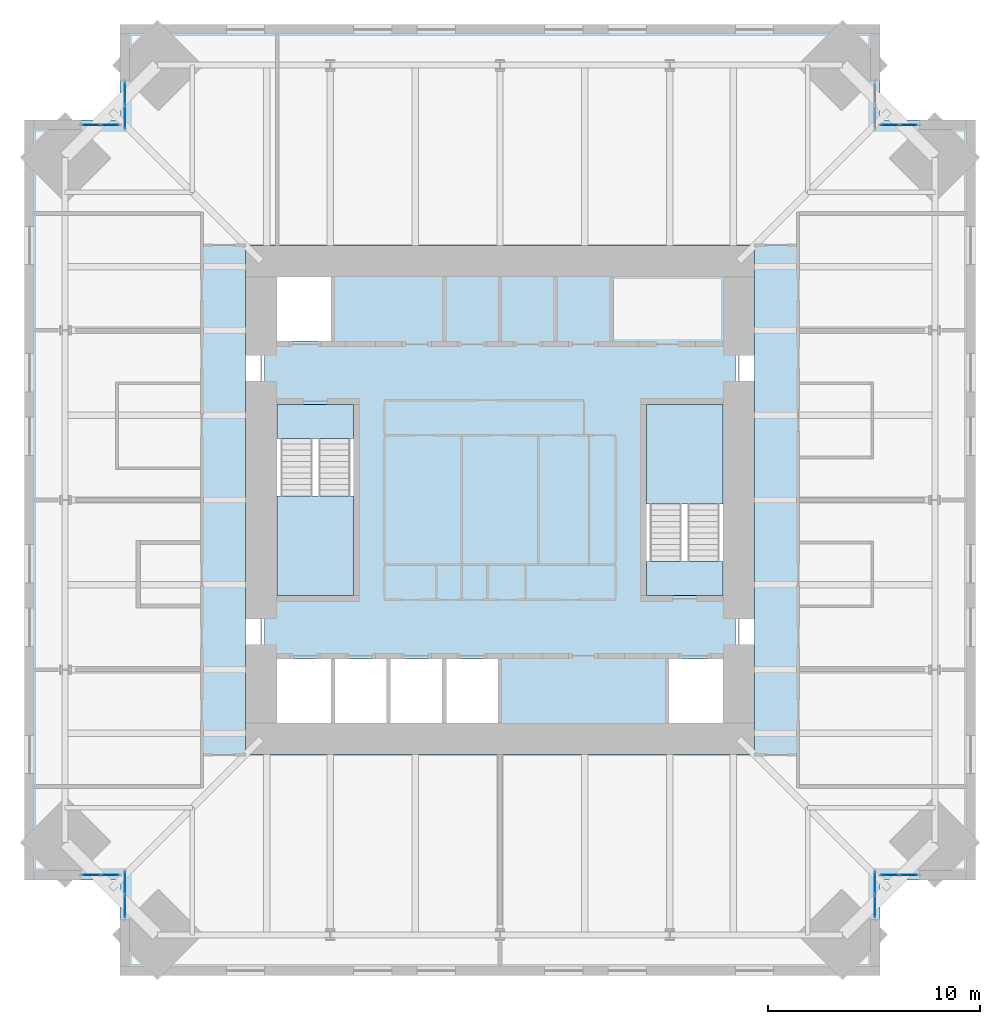
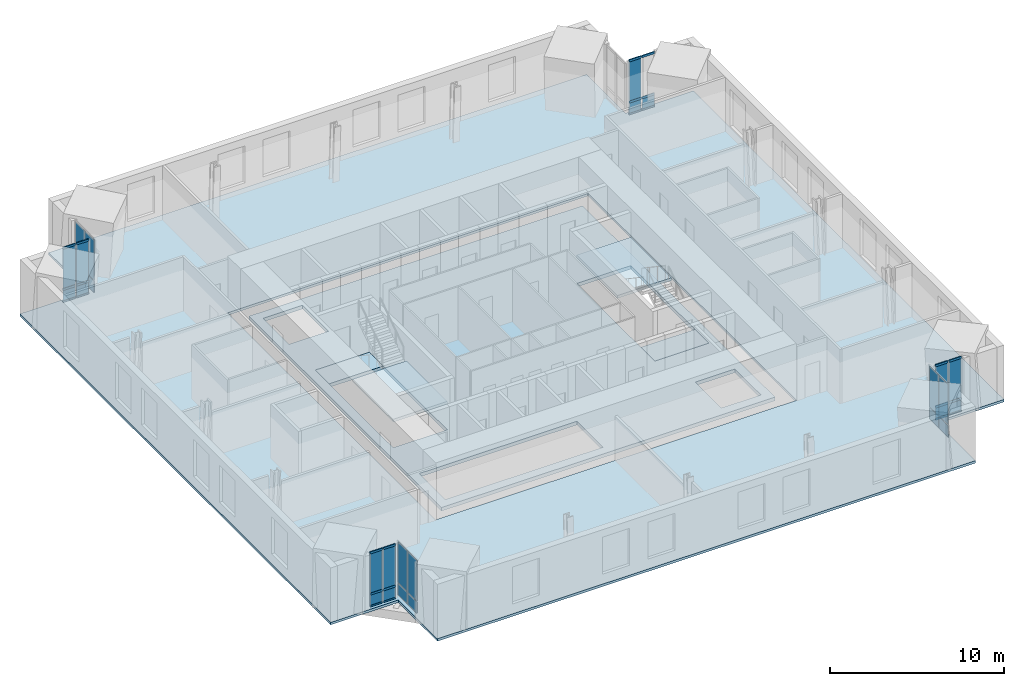
# One storey, part 11 of 17: 27 plates, 24 members, 6 slabs, 9 elements without a shape of their own.
"""IFC4 building model written with IfcOpenShell, lengths in metres."""

from ifc_helpers import new_model, si_unit, direction, frame, origin, origin_2d, place, context, subcontext, project, spatial, polyline, rectangle, hollow_rectangle, outline, extrude, material, layer, layer_set, material_profile, profile_set, type_object, element, aggregate, save


model = new_model("IFC4")

# Units and contexts
model_context = context("Model", 3, precision=1e-05, world=origin(), true_north=direction((0.0, 1.0)))
body_context = subcontext(model_context, "Body", "Model", "MODEL_VIEW")
ifc_project = project(units=[si_unit("LENGTHUNIT", "METRE"), si_unit("AREAUNIT", "SQUARE_METRE"), si_unit("VOLUMEUNIT", "CUBIC_METRE"), si_unit("PLANEANGLEUNIT", "RADIAN"), si_unit("MASSUNIT", "GRAM", prefix="KILO")], contexts=[model_context])

# Site, building, storey
site_placement = place(None, origin())
site = spatial("IfcSite", under=ifc_project, at=site_placement, CompositionType="ELEMENT")
building_placement = place(site_placement, origin())
building = spatial("IfcBuilding", under=site, at=building_placement, Name="Peilmerk Tower", CompositionType="ELEMENT")
storey_placement = place(building_placement, frame((0.0, 0.0, 257.800048828125)))
storey = spatial("IfcBuildingStorey", under=building, at=storey_placement, Name="L57", CompositionType="ELEMENT", Elevation=257.800048828125)

# Curtain wall, members
ifc_material_1 = material(Name="Aluminium stick curtain wall", Category="aluminium")
curtain_wall_type = type_object("IfcCurtainWallType", Name="CW4 stick curtain wall, 2250 module", PredefinedType="NOTDEFINED", material=ifc_material_1)
curtain_wall_1_placement = place(storey_placement, origin())
curtain_wall_1 = element("IfcCurtainWall", 1, at=curtain_wall_1_placement, inside=storey, type_object=curtain_wall_type, Name="Curtain wall CW4 NEB L57", PredefinedType="NOTDEFINED")
ifc_material_2 = material(Name="Aluminium EN AW-6063 T6", Category="aluminium")
ifc_material_profile = material_profile(ifc_material_2, hollow_rectangle(XDim=0.06494140625, YDim=0.14990234375, WallThickness=0.0029296875, at=origin_2d()), Name="AL 150x65x3")
ifc_profile_set = profile_set([ifc_material_profile], Name="Aluminium EN AW-6063 T6")
member_type = type_object("IfcMemberType", Name="CW4-T AL 150x65x3 transom", PredefinedType="USERDEFINED", material=ifc_profile_set)
member_1_placement = place(storey_placement, frame((17.965087890625, 17.675048828125, 0.032470703125), z_axis=(1.0, 0.0, 0.0), x_axis=(0.0, 1.0, 0.0)))
member_1 = element("IfcMember", 2, at=member_1_placement, type_object=member_type, Name="CW4 transom 1.1", ObjectType="TRANSOM", PredefinedType="USERDEFINED", context=body_context, shape_type="SweptSolid", body=[
    extrude(hollow_rectangle(XDim=0.06494140625, YDim=0.14990234375, WallThickness=0.0029296875, at=origin_2d()), origin(), (0.0, 0.0, 1.0), 0.82177734375),
])
member_2_placement = place(storey_placement, frame((17.965087890625, 17.675048828125, 0.89990234375), z_axis=(1.0, 0.0, 0.0), x_axis=(0.0, 1.0, 0.0)))
member_2 = element("IfcMember", 3, at=member_2_placement, type_object=member_type, Name="CW4 transom 1.2", ObjectType="TRANSOM", PredefinedType="USERDEFINED", context=body_context, shape_type="SweptSolid", body=[
    extrude(hollow_rectangle(XDim=0.06494140625, YDim=0.14990234375, WallThickness=0.0029296875, at=origin_2d()), origin(), (0.0, 0.0, 1.0), 0.82177734375),
])
member_3_placement = place(storey_placement, frame((17.965087890625, 17.675048828125, 3.79736328125), z_axis=(1.0, 0.0, 0.0), x_axis=(0.0, 1.0, 0.0)))
member_3 = element("IfcMember", 4, at=member_3_placement, type_object=member_type, Name="CW4 transom 1.3", ObjectType="TRANSOM", PredefinedType="USERDEFINED", context=body_context, shape_type="SweptSolid", body=[
    extrude(hollow_rectangle(XDim=0.06494140625, YDim=0.14990234375, WallThickness=0.0029296875, at=origin_2d()), origin(), (0.0, 0.0, 1.0), 0.82177734375),
])
member_4_placement = place(storey_placement, frame((18.851806640625, 17.675048828125, 0.032470703125), z_axis=(1.0, 0.0, 0.0), x_axis=(0.0, 1.0, 0.0)))
member_4 = element("IfcMember", 5, at=member_4_placement, type_object=member_type, Name="CW4 transom 2.1", ObjectType="TRANSOM", PredefinedType="USERDEFINED", context=body_context, shape_type="SweptSolid", body=[
    extrude(hollow_rectangle(XDim=0.06494140625, YDim=0.14990234375, WallThickness=0.0029296875, at=origin_2d()), origin(), (0.0, 0.0, 1.0), 0.82177734375),
])
member_5_placement = place(storey_placement, frame((18.851806640625, 17.675048828125, 0.89990234375), z_axis=(1.0, 0.0, 0.0), x_axis=(0.0, 1.0, 0.0)))
member_5 = element("IfcMember", 6, at=member_5_placement, type_object=member_type, Name="CW4 transom 2.2", ObjectType="TRANSOM", PredefinedType="USERDEFINED", context=body_context, shape_type="SweptSolid", body=[
    extrude(hollow_rectangle(XDim=0.06494140625, YDim=0.14990234375, WallThickness=0.0029296875, at=origin_2d()), origin(), (0.0, 0.0, 1.0), 0.82177734375),
])
member_6_placement = place(storey_placement, frame((18.851806640625, 17.675048828125, 3.79736328125), z_axis=(1.0, 0.0, 0.0), x_axis=(0.0, 1.0, 0.0)))
member_6 = element("IfcMember", 7, at=member_6_placement, type_object=member_type, Name="CW4 transom 2.3", ObjectType="TRANSOM", PredefinedType="USERDEFINED", context=body_context, shape_type="SweptSolid", body=[
    extrude(hollow_rectangle(XDim=0.06494140625, YDim=0.14990234375, WallThickness=0.0029296875, at=origin_2d()), origin(), (0.0, 0.0, 1.0), 0.82177734375),
])

curtain_wall_2_placement = place(storey_placement, origin())
curtain_wall_2 = element("IfcCurtainWall", 8, at=curtain_wall_2_placement, inside=storey, type_object=curtain_wall_type, Name="Curtain wall CW4 SEB L57", PredefinedType="NOTDEFINED")
member_7_placement = place(storey_placement, frame((17.965087890625, -17.675048828125, 0.032470703125), z_axis=(1.0, 0.0, 0.0), x_axis=(0.0, 1.0, 0.0)))
member_7 = element("IfcMember", 9, at=member_7_placement, type_object=member_type, Name="CW4 transom 1.1", ObjectType="TRANSOM", PredefinedType="USERDEFINED", context=body_context, shape_type="SweptSolid", body=[
    extrude(hollow_rectangle(XDim=0.06494140625, YDim=0.14990234375, WallThickness=0.0029296875, at=origin_2d()), origin(), (0.0, 0.0, 1.0), 0.82177734375),
])
member_8_placement = place(storey_placement, frame((17.965087890625, -17.675048828125, 0.89990234375), z_axis=(1.0, 0.0, 0.0), x_axis=(0.0, 1.0, 0.0)))
member_8 = element("IfcMember", 10, at=member_8_placement, type_object=member_type, Name="CW4 transom 1.2", ObjectType="TRANSOM", PredefinedType="USERDEFINED", context=body_context, shape_type="SweptSolid", body=[
    extrude(hollow_rectangle(XDim=0.06494140625, YDim=0.14990234375, WallThickness=0.0029296875, at=origin_2d()), origin(), (0.0, 0.0, 1.0), 0.82177734375),
])
member_9_placement = place(storey_placement, frame((17.965087890625, -17.675048828125, 3.79736328125), z_axis=(1.0, 0.0, 0.0), x_axis=(0.0, 1.0, 0.0)))
member_9 = element("IfcMember", 11, at=member_9_placement, type_object=member_type, Name="CW4 transom 1.3", ObjectType="TRANSOM", PredefinedType="USERDEFINED", context=body_context, shape_type="SweptSolid", body=[
    extrude(hollow_rectangle(XDim=0.06494140625, YDim=0.14990234375, WallThickness=0.0029296875, at=origin_2d()), origin(), (0.0, 0.0, 1.0), 0.82177734375),
])
member_10_placement = place(storey_placement, frame((18.851806640625, -17.675048828125, 0.032470703125), z_axis=(1.0, 0.0, 0.0), x_axis=(0.0, 1.0, 0.0)))
member_10 = element("IfcMember", 12, at=member_10_placement, type_object=member_type, Name="CW4 transom 2.1", ObjectType="TRANSOM", PredefinedType="USERDEFINED", context=body_context, shape_type="SweptSolid", body=[
    extrude(hollow_rectangle(XDim=0.06494140625, YDim=0.14990234375, WallThickness=0.0029296875, at=origin_2d()), origin(), (0.0, 0.0, 1.0), 0.82177734375),
])
member_11_placement = place(storey_placement, frame((18.851806640625, -17.675048828125, 0.89990234375), z_axis=(1.0, 0.0, 0.0), x_axis=(0.0, 1.0, 0.0)))
member_11 = element("IfcMember", 13, at=member_11_placement, type_object=member_type, Name="CW4 transom 2.2", ObjectType="TRANSOM", PredefinedType="USERDEFINED", context=body_context, shape_type="SweptSolid", body=[
    extrude(hollow_rectangle(XDim=0.06494140625, YDim=0.14990234375, WallThickness=0.0029296875, at=origin_2d()), origin(), (0.0, 0.0, 1.0), 0.82177734375),
])
member_12_placement = place(storey_placement, frame((18.851806640625, -17.675048828125, 3.79736328125), z_axis=(1.0, 0.0, 0.0), x_axis=(0.0, 1.0, 0.0)))
member_12 = element("IfcMember", 14, at=member_12_placement, type_object=member_type, Name="CW4 transom 2.3", ObjectType="TRANSOM", PredefinedType="USERDEFINED", context=body_context, shape_type="SweptSolid", body=[
    extrude(hollow_rectangle(XDim=0.06494140625, YDim=0.14990234375, WallThickness=0.0029296875, at=origin_2d()), origin(), (0.0, 0.0, 1.0), 0.82177734375),
])

curtain_wall_3_placement = place(storey_placement, origin())
curtain_wall_3 = element("IfcCurtainWall", 15, at=curtain_wall_3_placement, inside=storey, type_object=curtain_wall_type, Name="Curtain wall CW4 SWB L57", PredefinedType="NOTDEFINED")
member_13_placement = place(storey_placement, frame((-17.965087890625, -17.675048828125, 0.032470703125), z_axis=(-1.0, 0.0, 0.0), x_axis=(0.0, -1.0, 0.0)))
member_13 = element("IfcMember", 16, at=member_13_placement, type_object=member_type, Name="CW4 transom 1.1", ObjectType="TRANSOM", PredefinedType="USERDEFINED", context=body_context, shape_type="SweptSolid", body=[
    extrude(hollow_rectangle(XDim=0.06494140625, YDim=0.14990234375, WallThickness=0.0029296875, at=origin_2d()), origin(), (0.0, 0.0, 1.0), 0.82177734375),
])
member_14_placement = place(storey_placement, frame((-17.965087890625, -17.675048828125, 0.89990234375), z_axis=(-1.0, 0.0, 0.0), x_axis=(0.0, -1.0, 0.0)))
member_14 = element("IfcMember", 17, at=member_14_placement, type_object=member_type, Name="CW4 transom 1.2", ObjectType="TRANSOM", PredefinedType="USERDEFINED", context=body_context, shape_type="SweptSolid", body=[
    extrude(hollow_rectangle(XDim=0.06494140625, YDim=0.14990234375, WallThickness=0.0029296875, at=origin_2d()), origin(), (0.0, 0.0, 1.0), 0.82177734375),
])
member_15_placement = place(storey_placement, frame((-17.965087890625, -17.675048828125, 3.79736328125), z_axis=(-1.0, 0.0, 0.0), x_axis=(0.0, -1.0, 0.0)))
member_15 = element("IfcMember", 18, at=member_15_placement, type_object=member_type, Name="CW4 transom 1.3", ObjectType="TRANSOM", PredefinedType="USERDEFINED", context=body_context, shape_type="SweptSolid", body=[
    extrude(hollow_rectangle(XDim=0.06494140625, YDim=0.14990234375, WallThickness=0.0029296875, at=origin_2d()), origin(), (0.0, 0.0, 1.0), 0.82177734375),
])
member_16_placement = place(storey_placement, frame((-18.851806640625, -17.675048828125, 0.032470703125), z_axis=(-1.0, 0.0, 0.0), x_axis=(0.0, -1.0, 0.0)))
member_16 = element("IfcMember", 19, at=member_16_placement, type_object=member_type, Name="CW4 transom 2.1", ObjectType="TRANSOM", PredefinedType="USERDEFINED", context=body_context, shape_type="SweptSolid", body=[
    extrude(hollow_rectangle(XDim=0.06494140625, YDim=0.14990234375, WallThickness=0.0029296875, at=origin_2d()), origin(), (0.0, 0.0, 1.0), 0.82177734375),
])
member_17_placement = place(storey_placement, frame((-18.851806640625, -17.675048828125, 0.89990234375), z_axis=(-1.0, 0.0, 0.0), x_axis=(0.0, -1.0, 0.0)))
member_17 = element("IfcMember", 20, at=member_17_placement, type_object=member_type, Name="CW4 transom 2.2", ObjectType="TRANSOM", PredefinedType="USERDEFINED", context=body_context, shape_type="SweptSolid", body=[
    extrude(hollow_rectangle(XDim=0.06494140625, YDim=0.14990234375, WallThickness=0.0029296875, at=origin_2d()), origin(), (0.0, 0.0, 1.0), 0.82177734375),
])
member_18_placement = place(storey_placement, frame((-18.851806640625, -17.675048828125, 3.79736328125), z_axis=(-1.0, 0.0, 0.0), x_axis=(0.0, -1.0, 0.0)))
member_18 = element("IfcMember", 21, at=member_18_placement, type_object=member_type, Name="CW4 transom 2.3", ObjectType="TRANSOM", PredefinedType="USERDEFINED", context=body_context, shape_type="SweptSolid", body=[
    extrude(hollow_rectangle(XDim=0.06494140625, YDim=0.14990234375, WallThickness=0.0029296875, at=origin_2d()), origin(), (0.0, 0.0, 1.0), 0.82177734375),
])

curtain_wall_4_placement = place(storey_placement, origin())
curtain_wall_4 = element("IfcCurtainWall", 22, at=curtain_wall_4_placement, inside=storey, type_object=curtain_wall_type, Name="Curtain wall CW4 NWB L57", PredefinedType="NOTDEFINED")
member_19_placement = place(storey_placement, frame((-17.965087890625, 17.675048828125, 0.032470703125), z_axis=(-1.0, 0.0, 0.0), x_axis=(0.0, -1.0, 0.0)))
member_19 = element("IfcMember", 23, at=member_19_placement, type_object=member_type, Name="CW4 transom 1.1", ObjectType="TRANSOM", PredefinedType="USERDEFINED", context=body_context, shape_type="SweptSolid", body=[
    extrude(hollow_rectangle(XDim=0.06494140625, YDim=0.14990234375, WallThickness=0.0029296875, at=origin_2d()), origin(), (0.0, 0.0, 1.0), 0.82177734375),
])
member_20_placement = place(storey_placement, frame((-17.965087890625, 17.675048828125, 0.89990234375), z_axis=(-1.0, 0.0, 0.0), x_axis=(0.0, -1.0, 0.0)))
member_20 = element("IfcMember", 24, at=member_20_placement, type_object=member_type, Name="CW4 transom 1.2", ObjectType="TRANSOM", PredefinedType="USERDEFINED", context=body_context, shape_type="SweptSolid", body=[
    extrude(hollow_rectangle(XDim=0.06494140625, YDim=0.14990234375, WallThickness=0.0029296875, at=origin_2d()), origin(), (0.0, 0.0, 1.0), 0.82177734375),
])
member_21_placement = place(storey_placement, frame((-17.965087890625, 17.675048828125, 3.79736328125), z_axis=(-1.0, 0.0, 0.0), x_axis=(0.0, -1.0, 0.0)))
member_21 = element("IfcMember", 25, at=member_21_placement, type_object=member_type, Name="CW4 transom 1.3", ObjectType="TRANSOM", PredefinedType="USERDEFINED", context=body_context, shape_type="SweptSolid", body=[
    extrude(hollow_rectangle(XDim=0.06494140625, YDim=0.14990234375, WallThickness=0.0029296875, at=origin_2d()), origin(), (0.0, 0.0, 1.0), 0.82177734375),
])
member_22_placement = place(storey_placement, frame((-18.851806640625, 17.675048828125, 0.032470703125), z_axis=(-1.0, 0.0, 0.0), x_axis=(0.0, -1.0, 0.0)))
member_22 = element("IfcMember", 26, at=member_22_placement, type_object=member_type, Name="CW4 transom 2.1", ObjectType="TRANSOM", PredefinedType="USERDEFINED", context=body_context, shape_type="SweptSolid", body=[
    extrude(hollow_rectangle(XDim=0.06494140625, YDim=0.14990234375, WallThickness=0.0029296875, at=origin_2d()), origin(), (0.0, 0.0, 1.0), 0.82177734375),
])
member_23_placement = place(storey_placement, frame((-18.851806640625, 17.675048828125, 0.89990234375), z_axis=(-1.0, 0.0, 0.0), x_axis=(0.0, -1.0, 0.0)))
member_23 = element("IfcMember", 27, at=member_23_placement, type_object=member_type, Name="CW4 transom 2.2", ObjectType="TRANSOM", PredefinedType="USERDEFINED", context=body_context, shape_type="SweptSolid", body=[
    extrude(hollow_rectangle(XDim=0.06494140625, YDim=0.14990234375, WallThickness=0.0029296875, at=origin_2d()), origin(), (0.0, 0.0, 1.0), 0.82177734375),
])
member_24_placement = place(storey_placement, frame((-18.851806640625, 17.675048828125, 3.79736328125), z_axis=(-1.0, 0.0, 0.0), x_axis=(0.0, -1.0, 0.0)))
member_24 = element("IfcMember", 28, at=member_24_placement, type_object=member_type, Name="CW4 transom 2.3", ObjectType="TRANSOM", PredefinedType="USERDEFINED", context=body_context, shape_type="SweptSolid", body=[
    extrude(hollow_rectangle(XDim=0.06494140625, YDim=0.14990234375, WallThickness=0.0029296875, at=origin_2d()), origin(), (0.0, 0.0, 1.0), 0.82177734375),
])

# Slab
ifc_material_3 = material(Name="Concrete C55/67", Category="concrete")
ifc_layer_1 = layer(ifc_material_3, 0.25)
ifc_layer_set_1 = layer_set([ifc_layer_1], Name="Concrete C55/67")
slab_type_1 = type_object("IfcSlabType", Name="CS250 250 core floor slab", PredefinedType="FLOOR", material=ifc_layer_set_1)
slab_1_placement = place(storey_placement, frame((0.0, 0.0, -0.25)))
element("IfcSlab", 29, at=slab_1_placement, inside=storey, type_object=slab_type_1, Name="Core slab L57", PredefinedType="FLOOR", context=body_context, shape_type="SweptSolid", body=[
    extrude(outline(polyline([(11.10009765625, -11.10009765625), (11.10009765625, 11.10009765625), (-11.10009765625, 11.10009765625), (-11.10009765625, -11.10009765625), (11.10009765625, -11.10009765625)]), holes=[polyline([(-7.875, 7.5), (-10.5, 7.5), (-10.5, 10.5), (-7.875, 10.5), (-7.875, 7.5)]), polyline([(0.0, -10.5), (-10.5, -10.5), (-10.5, -7.5), (0.0, -7.5), (0.0, -10.5)]), polyline([(7.875, -10.5), (7.875, -7.5), (10.5, -7.5), (10.5, -10.5), (7.875, -10.5)]), polyline([(-10.5, 4.5), (-6.89990234375, 4.5), (-6.89990234375, -4.5), (-10.5, -4.5), (-10.5, 4.5)]), polyline([(10.5, 4.5), (10.5, -4.5), (6.89990234375, -4.5), (6.89990234375, 4.5), (10.5, 4.5)])]), origin(), (0.0, 0.0, 1.0), 0.25),
])

# Plate
ifc_material_4 = material(Name="Clear insulated glazing unit", Category="glass")
ifc_layer_2 = layer(ifc_material_4, 0.028076171875)
ifc_layer_set_2 = layer_set([ifc_layer_2], Name="Clear insulated glazing unit")
plate_type = type_object("IfcPlateType", Name="CW4-P 28 glazed panel", PredefinedType="CURTAIN_PANEL", material=ifc_layer_set_2)
plate_1_placement = place(storey_placement, frame((18.3759765625, 17.675048828125, 0.06494140625), z_axis=(0.0, 0.0, 1.0), x_axis=(1.0, 0.0, 0.0)))
plate_1 = element("IfcPlate", 30, at=plate_1_placement, type_object=plate_type, Name="CW4 panel 1.1", PredefinedType="CURTAIN_PANEL", context=body_context, shape_type="SweptSolid", body=[
    extrude(rectangle(XDim=0.82177734375, YDim=0.028076171875, at=origin_2d()), origin(), (0.0, 0.0, 1.0), 0.802490234375),
])

plate_2_placement = place(storey_placement, frame((18.3759765625, 17.675048828125, 0.932373046875), z_axis=(0.0, 0.0, 1.0), x_axis=(1.0, 0.0, 0.0)))
plate_2 = element("IfcPlate", 31, at=plate_2_placement, type_object=plate_type, Name="CW4 panel 1.2", PredefinedType="CURTAIN_PANEL", context=body_context, shape_type="SweptSolid", body=[
    extrude(rectangle(XDim=0.82177734375, YDim=0.028076171875, at=origin_2d()), origin(), (0.0, 0.0, 1.0), 2.83251953125),
])

plate_3_placement = place(storey_placement, frame((19.2626953125, 17.675048828125, 0.06494140625), z_axis=(0.0, 0.0, 1.0), x_axis=(1.0, 0.0, 0.0)))
plate_3 = element("IfcPlate", 32, at=plate_3_placement, type_object=plate_type, Name="CW4 panel 2.1", PredefinedType="CURTAIN_PANEL", context=body_context, shape_type="SweptSolid", body=[
    extrude(rectangle(XDim=0.82177734375, YDim=0.028076171875, at=origin_2d()), origin(), (0.0, 0.0, 1.0), 0.802490234375),
])

aggregate(curtain_wall_1, [member_1, member_2, member_3, plate_1, plate_2, member_4, member_5, member_6, plate_3])

# Curtain wall, plates
curtain_wall_5_placement = place(storey_placement, origin())
curtain_wall_5 = element("IfcCurtainWall", 33, at=curtain_wall_5_placement, inside=storey, type_object=curtain_wall_type, Name="Curtain wall CW4 SEA L57", PredefinedType="NOTDEFINED")
plate_4_placement = place(storey_placement, frame((17.675048828125, -18.038330078125, 0.06494140625), z_axis=(0.0, 0.0, 1.0), x_axis=(0.0, -1.0, 0.0)))
plate_4 = element("IfcPlate", 34, at=plate_4_placement, type_object=plate_type, Name="CW4 panel 1.1", PredefinedType="CURTAIN_PANEL", context=body_context, shape_type="SweptSolid", body=[
    extrude(rectangle(XDim=1.046875, YDim=0.028076171875, at=origin_2d()), origin(), (0.0, 0.0, 1.0), 0.802490234375),
])
plate_5_placement = place(storey_placement, frame((17.675048828125, -18.038330078125, 0.932373046875), z_axis=(0.0, 0.0, 1.0), x_axis=(0.0, -1.0, 0.0)))
plate_5 = element("IfcPlate", 35, at=plate_5_placement, type_object=plate_type, Name="CW4 panel 1.2", PredefinedType="CURTAIN_PANEL", context=body_context, shape_type="SweptSolid", body=[
    extrude(rectangle(XDim=1.046875, YDim=0.028076171875, at=origin_2d()), origin(), (0.0, 0.0, 1.0), 2.83251953125),
])
plate_6_placement = place(storey_placement, frame((17.675048828125, -19.150146484375, 0.06494140625), z_axis=(0.0, 0.0, 1.0), x_axis=(0.0, -1.0, 0.0)))
plate_6 = element("IfcPlate", 36, at=plate_6_placement, type_object=plate_type, Name="CW4 panel 2.1", PredefinedType="CURTAIN_PANEL", context=body_context, shape_type="SweptSolid", body=[
    extrude(rectangle(XDim=1.046875, YDim=0.028076171875, at=origin_2d()), origin(), (0.0, 0.0, 1.0), 0.802490234375),
])
plate_7_placement = place(storey_placement, frame((17.675048828125, -19.150146484375, 0.932373046875), z_axis=(0.0, 0.0, 1.0), x_axis=(0.0, -1.0, 0.0)))
plate_7 = element("IfcPlate", 37, at=plate_7_placement, type_object=plate_type, Name="CW4 panel 2.2", PredefinedType="CURTAIN_PANEL", context=body_context, shape_type="SweptSolid", body=[
    extrude(rectangle(XDim=1.046875, YDim=0.028076171875, at=origin_2d()), origin(), (0.0, 0.0, 1.0), 2.83251953125),
])
aggregate(curtain_wall_5, [plate_4, plate_5, plate_6, plate_7])

# Plate
plate_8_placement = place(storey_placement, frame((18.3759765625, -17.675048828125, 0.06494140625), z_axis=(0.0, 0.0, 1.0), x_axis=(1.0, 0.0, 0.0)))
plate_8 = element("IfcPlate", 38, at=plate_8_placement, type_object=plate_type, Name="CW4 panel 1.1", PredefinedType="CURTAIN_PANEL", context=body_context, shape_type="SweptSolid", body=[
    extrude(rectangle(XDim=0.82177734375, YDim=0.028076171875, at=origin_2d()), origin(), (0.0, 0.0, 1.0), 0.802490234375),
])

plate_9_placement = place(storey_placement, frame((18.3759765625, -17.675048828125, 0.932373046875), z_axis=(0.0, 0.0, 1.0), x_axis=(1.0, 0.0, 0.0)))
plate_9 = element("IfcPlate", 39, at=plate_9_placement, type_object=plate_type, Name="CW4 panel 1.2", PredefinedType="CURTAIN_PANEL", context=body_context, shape_type="SweptSolid", body=[
    extrude(rectangle(XDim=0.82177734375, YDim=0.028076171875, at=origin_2d()), origin(), (0.0, 0.0, 1.0), 2.83251953125),
])

plate_10_placement = place(storey_placement, frame((19.2626953125, -17.675048828125, 0.06494140625), z_axis=(0.0, 0.0, 1.0), x_axis=(1.0, 0.0, 0.0)))
plate_10 = element("IfcPlate", 40, at=plate_10_placement, type_object=plate_type, Name="CW4 panel 2.1", PredefinedType="CURTAIN_PANEL", context=body_context, shape_type="SweptSolid", body=[
    extrude(rectangle(XDim=0.82177734375, YDim=0.028076171875, at=origin_2d()), origin(), (0.0, 0.0, 1.0), 0.802490234375),
])

plate_11_placement = place(storey_placement, frame((19.2626953125, -17.675048828125, 0.932373046875), z_axis=(0.0, 0.0, 1.0), x_axis=(1.0, 0.0, 0.0)))
plate_11 = element("IfcPlate", 41, at=plate_11_placement, type_object=plate_type, Name="CW4 panel 2.2", PredefinedType="CURTAIN_PANEL", context=body_context, shape_type="SweptSolid", body=[
    extrude(rectangle(XDim=0.82177734375, YDim=0.028076171875, at=origin_2d()), origin(), (0.0, 0.0, 1.0), 2.83251953125),
])

aggregate(curtain_wall_2, [member_7, member_8, member_9, plate_8, plate_9, member_10, member_11, member_12, plate_10, plate_11])

# Curtain wall, plates
curtain_wall_6_placement = place(storey_placement, origin())
curtain_wall_6 = element("IfcCurtainWall", 42, at=curtain_wall_6_placement, inside=storey, type_object=curtain_wall_type, Name="Curtain wall CW4 SWA L57", PredefinedType="NOTDEFINED")
plate_12_placement = place(storey_placement, frame((-17.675048828125, -18.038330078125, 0.06494140625), z_axis=(0.0, 0.0, 1.0), x_axis=(0.0, -1.0, 0.0)))
plate_12 = element("IfcPlate", 43, at=plate_12_placement, type_object=plate_type, Name="CW4 panel 1.1", PredefinedType="CURTAIN_PANEL", context=body_context, shape_type="SweptSolid", body=[
    extrude(rectangle(XDim=1.046875, YDim=0.028076171875, at=origin_2d()), origin(), (0.0, 0.0, 1.0), 0.802490234375),
])
plate_13_placement = place(storey_placement, frame((-17.675048828125, -18.038330078125, 0.932373046875), z_axis=(0.0, 0.0, 1.0), x_axis=(0.0, -1.0, 0.0)))
plate_13 = element("IfcPlate", 44, at=plate_13_placement, type_object=plate_type, Name="CW4 panel 1.2", PredefinedType="CURTAIN_PANEL", context=body_context, shape_type="SweptSolid", body=[
    extrude(rectangle(XDim=1.046875, YDim=0.028076171875, at=origin_2d()), origin(), (0.0, 0.0, 1.0), 2.83251953125),
])
plate_14_placement = place(storey_placement, frame((-17.675048828125, -19.150146484375, 0.06494140625), z_axis=(0.0, 0.0, 1.0), x_axis=(0.0, -1.0, 0.0)))
plate_14 = element("IfcPlate", 45, at=plate_14_placement, type_object=plate_type, Name="CW4 panel 2.1", PredefinedType="CURTAIN_PANEL", context=body_context, shape_type="SweptSolid", body=[
    extrude(rectangle(XDim=1.046875, YDim=0.028076171875, at=origin_2d()), origin(), (0.0, 0.0, 1.0), 0.802490234375),
])
plate_15_placement = place(storey_placement, frame((-17.675048828125, -19.150146484375, 0.932373046875), z_axis=(0.0, 0.0, 1.0), x_axis=(0.0, -1.0, 0.0)))
plate_15 = element("IfcPlate", 46, at=plate_15_placement, type_object=plate_type, Name="CW4 panel 2.2", PredefinedType="CURTAIN_PANEL", context=body_context, shape_type="SweptSolid", body=[
    extrude(rectangle(XDim=1.046875, YDim=0.028076171875, at=origin_2d()), origin(), (0.0, 0.0, 1.0), 2.83251953125),
])
aggregate(curtain_wall_6, [plate_12, plate_13, plate_14, plate_15])

# Plate
plate_16_placement = place(storey_placement, frame((-18.3759765625, -17.675048828125, 0.06494140625), z_axis=(0.0, 0.0, 1.0), x_axis=(-1.0, 0.0, 0.0)))
plate_16 = element("IfcPlate", 47, at=plate_16_placement, type_object=plate_type, Name="CW4 panel 1.1", PredefinedType="CURTAIN_PANEL", context=body_context, shape_type="SweptSolid", body=[
    extrude(rectangle(XDim=0.82177734375, YDim=0.028076171875, at=origin_2d()), origin(), (0.0, 0.0, 1.0), 0.802490234375),
])

plate_17_placement = place(storey_placement, frame((-18.3759765625, -17.675048828125, 0.932373046875), z_axis=(0.0, 0.0, 1.0), x_axis=(-1.0, 0.0, 0.0)))
plate_17 = element("IfcPlate", 48, at=plate_17_placement, type_object=plate_type, Name="CW4 panel 1.2", PredefinedType="CURTAIN_PANEL", context=body_context, shape_type="SweptSolid", body=[
    extrude(rectangle(XDim=0.82177734375, YDim=0.028076171875, at=origin_2d()), origin(), (0.0, 0.0, 1.0), 2.83251953125),
])

plate_18_placement = place(storey_placement, frame((-19.2626953125, -17.675048828125, 0.06494140625), z_axis=(0.0, 0.0, 1.0), x_axis=(-1.0, 0.0, 0.0)))
plate_18 = element("IfcPlate", 49, at=plate_18_placement, type_object=plate_type, Name="CW4 panel 2.1", PredefinedType="CURTAIN_PANEL", context=body_context, shape_type="SweptSolid", body=[
    extrude(rectangle(XDim=0.82177734375, YDim=0.028076171875, at=origin_2d()), origin(), (0.0, 0.0, 1.0), 0.802490234375),
])

plate_19_placement = place(storey_placement, frame((-19.2626953125, -17.675048828125, 0.932373046875), z_axis=(0.0, 0.0, 1.0), x_axis=(-1.0, 0.0, 0.0)))
plate_19 = element("IfcPlate", 50, at=plate_19_placement, type_object=plate_type, Name="CW4 panel 2.2", PredefinedType="CURTAIN_PANEL", context=body_context, shape_type="SweptSolid", body=[
    extrude(rectangle(XDim=0.82177734375, YDim=0.028076171875, at=origin_2d()), origin(), (0.0, 0.0, 1.0), 2.83251953125),
])

aggregate(curtain_wall_3, [member_13, member_14, member_15, plate_16, plate_17, member_16, member_17, member_18, plate_18, plate_19])

# Curtain wall, plates
curtain_wall_7_placement = place(storey_placement, origin())
curtain_wall_7 = element("IfcCurtainWall", 51, at=curtain_wall_7_placement, inside=storey, type_object=curtain_wall_type, Name="Curtain wall CW4 NWA L57", PredefinedType="NOTDEFINED")
plate_20_placement = place(storey_placement, frame((-17.675048828125, 18.038330078125, 0.06494140625), z_axis=(0.0, 0.0, 1.0), x_axis=(0.0, 1.0, 0.0)))
plate_20 = element("IfcPlate", 52, at=plate_20_placement, type_object=plate_type, Name="CW4 panel 1.1", PredefinedType="CURTAIN_PANEL", context=body_context, shape_type="SweptSolid", body=[
    extrude(rectangle(XDim=1.046875, YDim=0.028076171875, at=origin_2d()), origin(), (0.0, 0.0, 1.0), 0.802490234375),
])
plate_21_placement = place(storey_placement, frame((-17.675048828125, 18.038330078125, 0.932373046875), z_axis=(0.0, 0.0, 1.0), x_axis=(0.0, 1.0, 0.0)))
plate_21 = element("IfcPlate", 53, at=plate_21_placement, type_object=plate_type, Name="CW4 panel 1.2", PredefinedType="CURTAIN_PANEL", context=body_context, shape_type="SweptSolid", body=[
    extrude(rectangle(XDim=1.046875, YDim=0.028076171875, at=origin_2d()), origin(), (0.0, 0.0, 1.0), 2.83251953125),
])
plate_22_placement = place(storey_placement, frame((-17.675048828125, 19.150146484375, 0.06494140625), z_axis=(0.0, 0.0, 1.0), x_axis=(0.0, 1.0, 0.0)))
plate_22 = element("IfcPlate", 54, at=plate_22_placement, type_object=plate_type, Name="CW4 panel 2.1", PredefinedType="CURTAIN_PANEL", context=body_context, shape_type="SweptSolid", body=[
    extrude(rectangle(XDim=1.046875, YDim=0.028076171875, at=origin_2d()), origin(), (0.0, 0.0, 1.0), 0.802490234375),
])
plate_23_placement = place(storey_placement, frame((-17.675048828125, 19.150146484375, 0.932373046875), z_axis=(0.0, 0.0, 1.0), x_axis=(0.0, 1.0, 0.0)))
plate_23 = element("IfcPlate", 55, at=plate_23_placement, type_object=plate_type, Name="CW4 panel 2.2", PredefinedType="CURTAIN_PANEL", context=body_context, shape_type="SweptSolid", body=[
    extrude(rectangle(XDim=1.046875, YDim=0.028076171875, at=origin_2d()), origin(), (0.0, 0.0, 1.0), 2.83251953125),
])
aggregate(curtain_wall_7, [plate_20, plate_21, plate_22, plate_23])

# Plate
plate_24_placement = place(storey_placement, frame((-18.3759765625, 17.675048828125, 0.06494140625), z_axis=(0.0, 0.0, 1.0), x_axis=(-1.0, 0.0, 0.0)))
plate_24 = element("IfcPlate", 56, at=plate_24_placement, type_object=plate_type, Name="CW4 panel 1.1", PredefinedType="CURTAIN_PANEL", context=body_context, shape_type="SweptSolid", body=[
    extrude(rectangle(XDim=0.82177734375, YDim=0.028076171875, at=origin_2d()), origin(), (0.0, 0.0, 1.0), 0.802490234375),
])

plate_25_placement = place(storey_placement, frame((-18.3759765625, 17.675048828125, 0.932373046875), z_axis=(0.0, 0.0, 1.0), x_axis=(-1.0, 0.0, 0.0)))
plate_25 = element("IfcPlate", 57, at=plate_25_placement, type_object=plate_type, Name="CW4 panel 1.2", PredefinedType="CURTAIN_PANEL", context=body_context, shape_type="SweptSolid", body=[
    extrude(rectangle(XDim=0.82177734375, YDim=0.028076171875, at=origin_2d()), origin(), (0.0, 0.0, 1.0), 2.83251953125),
])

plate_26_placement = place(storey_placement, frame((-19.2626953125, 17.675048828125, 0.06494140625), z_axis=(0.0, 0.0, 1.0), x_axis=(-1.0, 0.0, 0.0)))
plate_26 = element("IfcPlate", 58, at=plate_26_placement, type_object=plate_type, Name="CW4 panel 2.1", PredefinedType="CURTAIN_PANEL", context=body_context, shape_type="SweptSolid", body=[
    extrude(rectangle(XDim=0.82177734375, YDim=0.028076171875, at=origin_2d()), origin(), (0.0, 0.0, 1.0), 0.802490234375),
])

plate_27_placement = place(storey_placement, frame((-19.2626953125, 17.675048828125, 0.932373046875), z_axis=(0.0, 0.0, 1.0), x_axis=(-1.0, 0.0, 0.0)))
plate_27 = element("IfcPlate", 59, at=plate_27_placement, type_object=plate_type, Name="CW4 panel 2.2", PredefinedType="CURTAIN_PANEL", context=body_context, shape_type="SweptSolid", body=[
    extrude(rectangle(XDim=0.82177734375, YDim=0.028076171875, at=origin_2d()), origin(), (0.0, 0.0, 1.0), 2.83251953125),
])

aggregate(curtain_wall_4, [member_19, member_20, member_21, plate_24, plate_25, member_22, member_23, member_24, plate_26, plate_27])

# Slab
ifc_material_5 = material(Name="Concrete C35/45", Category="concrete")
ifc_layer_3 = layer(ifc_material_5, 0.169921875)
ifc_layer_set_3 = layer_set([ifc_layer_3], Name="Concrete C35/45")
slab_type_2 = type_object("IfcSlabType", Name="FS170 170 composite floor slab", PredefinedType="FLOOR", material=ifc_layer_set_3)
slab_2_placement = place(storey_placement, frame((0.0, 0.0, -0.170166015625)))
element("IfcSlab", 60, at=slab_2_placement, inside=storey, type_object=slab_type_2, Name="Floor slab L57", PredefinedType="FLOOR", context=body_context, shape_type="SweptSolid", body=[
    extrude(outline(polyline([(-17.89990234375, -22.39990234375), (17.89990234375, -22.39990234375), (17.89990234375, -17.89990234375), (22.39990234375, -17.89990234375), (22.39990234375, 17.89990234375), (17.89990234375, 17.89990234375), (17.89990234375, 22.39990234375), (-17.89990234375, 22.39990234375), (-17.89990234375, 17.89990234375), (-22.39990234375, 17.89990234375), (-22.39990234375, -17.89990234375), (-17.89990234375, -17.89990234375), (-17.89990234375, -22.39990234375)]), holes=[polyline([(12.0, 12.0), (12.0, -12.0), (-12.0, -12.0), (-12.0, 12.0), (12.0, 12.0)])]), origin(), (0.0, 0.0, 1.0), 0.170166015625),
])

# Stair, slab
ifc_material_6 = material(Name="Precast concrete C45/55", Category="concrete")
stair_type_1 = type_object("IfcStairType", Name="ST1 22 risers of 181.8", PredefinedType="HALF_TURN_STAIR", material=ifc_material_6)
stair_1_placement = place(storey_placement, origin())
stair_1 = element("IfcStair", 61, at=stair_1_placement, inside=storey, type_object=stair_type_1, Name="Stair 1 L57 to L58", PredefinedType="HALF_TURN_STAIR")
ifc_layer_4 = layer(ifc_material_5, 0.199951171875)
ifc_layer_set_4 = layer_set([ifc_layer_4], Name="Concrete C35/45")
slab_type_3 = type_object("IfcSlabType", Name="SL1 200 concrete stair landing", PredefinedType="LANDING", material=ifc_layer_set_4)
slab_3_placement = place(storey_placement, frame((0.0, 0.0, 1.800048828125)))
slab_3 = element("IfcSlab", 62, at=slab_3_placement, type_object=slab_type_3, Name="ST1 landing 1", PredefinedType="LANDING", context=body_context, shape_type="SweptSolid", body=[
    extrude(outline(polyline([(-10.5, -4.5), (-6.89990234375, -4.5), (-6.89990234375, 0.199951171875), (-10.5, 0.199951171875), (-10.5, -4.5)])), origin(), (0.0, 0.0, 1.0), 0.199951171875),
])

stair_type_2 = type_object("IfcStairType", Name="ST2 22 risers of 181.8", PredefinedType="HALF_TURN_STAIR", material=ifc_material_6)
stair_2_placement = place(storey_placement, origin())
stair_2 = element("IfcStair", 63, at=stair_2_placement, inside=storey, type_object=stair_type_2, Name="Stair 2 L57 to L58", PredefinedType="HALF_TURN_STAIR")
slab_4_placement = place(storey_placement, frame((0.0, 0.0, 1.800048828125)))
slab_4 = element("IfcSlab", 64, at=slab_4_placement, type_object=slab_type_3, Name="ST2 landing 1", PredefinedType="LANDING", context=body_context, shape_type="SweptSolid", body=[
    extrude(outline(polyline([(6.89990234375, -0.199951171875), (10.5, -0.199951171875), (10.5, 4.5), (6.89990234375, 4.5), (6.89990234375, -0.199951171875)])), origin(), (0.0, 0.0, 1.0), 0.199951171875),
])

# Slab
ifc_layer_5 = layer(ifc_material_5, 0.25)
ifc_layer_set_5 = layer_set([ifc_layer_5], Name="Concrete C35/45")
slab_type_4 = type_object("IfcSlabType", Name="SL2 250 concrete floor landing", PredefinedType="LANDING", material=ifc_layer_set_5)
slab_5_placement = place(storey_placement, frame((0.0, 0.0, -0.25)))
slab_5 = element("IfcSlab", 65, at=slab_5_placement, type_object=slab_type_4, Name="ST1 floor landing", PredefinedType="LANDING", context=body_context, shape_type="SweptSolid", body=[
    extrude(outline(polyline([(-10.5, 2.89990234375), (-6.89990234375, 2.89990234375), (-6.89990234375, 4.5), (-10.5, 4.5), (-10.5, 2.89990234375)])), origin(), (0.0, 0.0, 1.0), 0.25),
])

aggregate(stair_1, [slab_3, slab_5])

slab_6_placement = place(storey_placement, frame((0.0, 0.0, -0.25)))
slab_6 = element("IfcSlab", 66, at=slab_6_placement, type_object=slab_type_4, Name="ST2 floor landing", PredefinedType="LANDING", context=body_context, shape_type="SweptSolid", body=[
    extrude(outline(polyline([(6.89990234375, -4.5), (10.5, -4.5), (10.5, -2.89990234375), (6.89990234375, -2.89990234375), (6.89990234375, -4.5)])), origin(), (0.0, 0.0, 1.0), 0.25),
])

aggregate(stair_2, [slab_4, slab_6])

save(model, "model.ifc")
